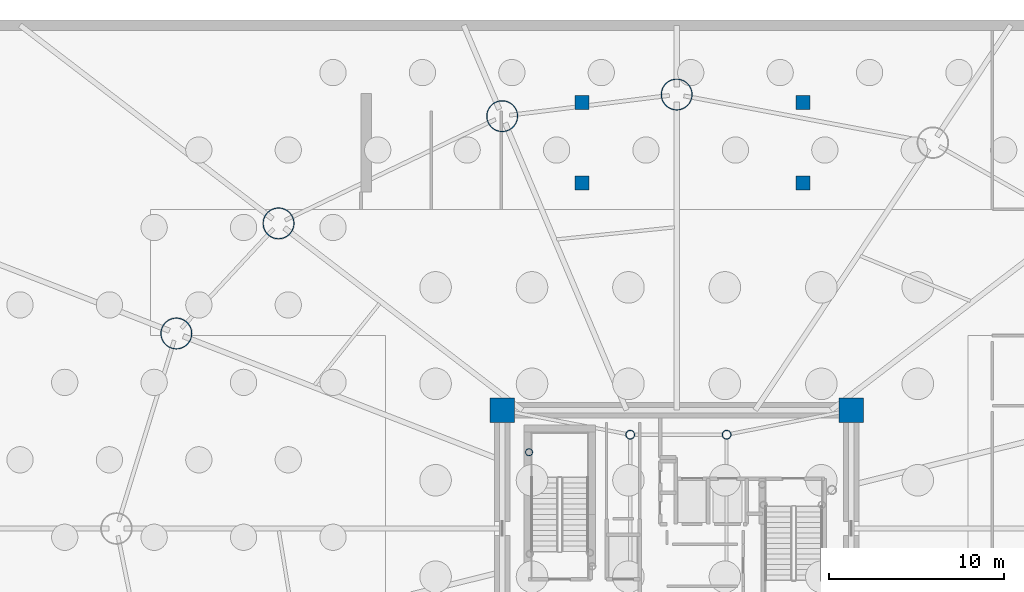
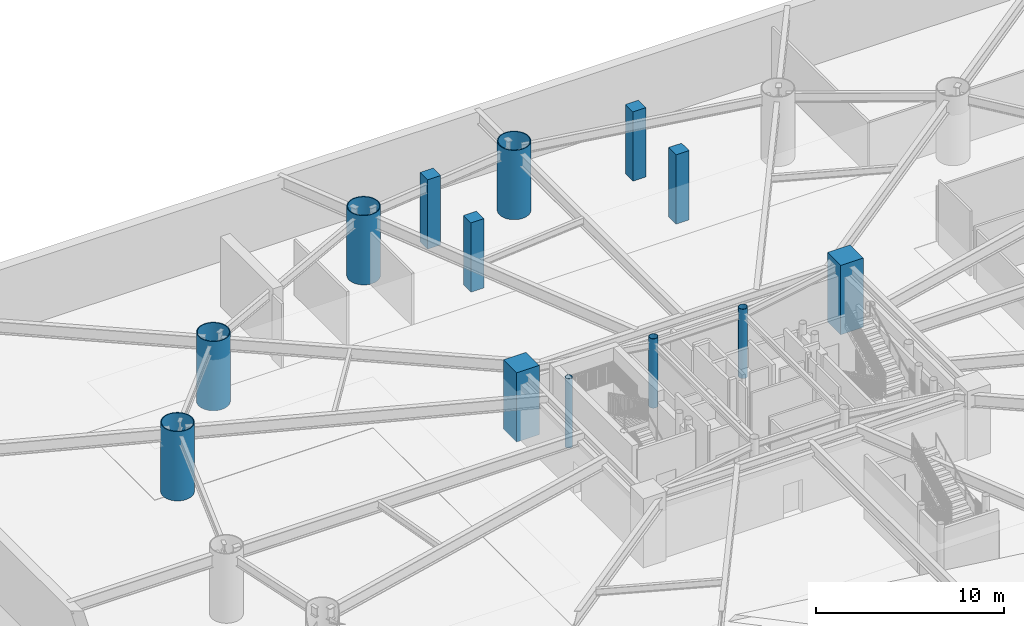
# One storey, part 3 of 18: 13 columns.
"""IFC4 building model written with IfcOpenShell, lengths in metres."""

from ifc_helpers import new_model, si_unit, direction, frame, origin, origin_2d, place, context, subcontext, project, spatial, rectangle, hollow_circle, extrude, material, material_profile, profile_set, type_object, element, save


model = new_model("IFC4")

# Units and contexts
model_context = context("Model", 3, precision=1e-05, world=origin(), true_north=direction((0.0, 1.0)))
body_context = subcontext(model_context, "Body", "Model", "MODEL_VIEW")
ifc_project = project(units=[si_unit("LENGTHUNIT", "METRE"), si_unit("AREAUNIT", "SQUARE_METRE"), si_unit("VOLUMEUNIT", "CUBIC_METRE"), si_unit("PLANEANGLEUNIT", "RADIAN"), si_unit("MASSUNIT", "GRAM", prefix="KILO")], contexts=[model_context])

# Site, building, storey
site_placement = place(None, origin())
site = spatial("IfcSite", under=ifc_project, at=site_placement, CompositionType="ELEMENT")
building_placement = place(site_placement, origin())
building = spatial("IfcBuilding", under=site, at=building_placement, Name="Linh Dai School and Residence Tower", CompositionType="ELEMENT")
storey_placement = place(building_placement, frame((0.0, 0.0, -9.0)))
storey = spatial("IfcBuildingStorey", under=building, at=storey_placement, Name="B02", CompositionType="ELEMENT", Elevation=-9.0)

# Columns
ifc_material_1 = material(Name="Concrete B60 (C50/60)", Category="concrete")
ifc_material_profile_1 = material_profile(ifc_material_1, rectangle(XDim=1.39990234375, YDim=1.39990234375, at=origin_2d()), Name="RC 1400x1400")
ifc_profile_set_1 = profile_set([ifc_material_profile_1], Name="Concrete B60 (C50/60)")
column_type_1 = type_object("IfcColumnType", Name="COL-CC1", PredefinedType="COLUMN", material=ifc_profile_set_1)
for number, where, z_axis, x_axis, name in (
    (1, (45.949951171875, 33.75, 0.0), (0.0, 0.0, 1.0), (1.0, 0.0, 0.0), "B02 Core Corner Pier CC3"),
    (2, (26.050048828125, 33.75, 0.0), (0.0, 0.0, 1.0), (1.0, 0.0, 0.0), "B02 Core Corner Pier CC4"),
):
    element("IfcColumn", number, at=place(storey_placement, frame(where, z_axis=z_axis, x_axis=x_axis)), inside=storey, type_object=column_type_1, Name=name, PredefinedType="COLUMN", context=body_context, shape_type="SweptSolid", body=[
        extrude(rectangle(XDim=1.39990234375, YDim=1.39990234375, at=origin_2d()), origin(), (0.0, 0.0, 1.0), 4.5),
    ])
ifc_material_2 = material(Name="Concrete B45 (C35/45)", Category="concrete")
ifc_material_profile_2 = material_profile(ifc_material_2, rectangle(XDim=0.800048828125, YDim=0.800048828125, at=origin_2d()), Name="RC 800x800")
ifc_profile_set_2 = profile_set([ifc_material_profile_2], Name="Concrete B45 (C35/45)")
column_type_2 = type_object("IfcColumnType", Name="COL-CC5", PredefinedType="COLUMN", material=ifc_profile_set_2)
for number, where, z_axis, x_axis, name in (
    (3, (30.60009765625, 46.699951171875, 0.0), (0.0, 0.0, 1.0), (1.0, 0.0, 0.0), "VR2 Ramp Foundation Support Pier B02"),
    (4, (30.60009765625, 51.300048828125, 0.0), (0.0, 0.0, 1.0), (1.0, 0.0, 0.0), "VR2 Ramp Foundation Support Pier B02"),
    (5, (43.199951171875, 46.699951171875, 0.0), (0.0, 0.0, 1.0), (1.0, 0.0, 0.0), "VR2 Ramp Foundation Support Pier B02"),
    (6, (43.199951171875, 51.300048828125, 0.0), (0.0, 0.0, 1.0), (1.0, 0.0, 0.0), "VR2 Ramp Foundation Support Pier B02"),
):
    element("IfcColumn", number, at=place(storey_placement, frame(where, z_axis=z_axis, x_axis=x_axis)), inside=storey, type_object=column_type_2, Name=name, PredefinedType="COLUMN", context=body_context, shape_type="SweptSolid", body=[
        extrude(rectangle(XDim=0.800048828125, YDim=0.800048828125, at=origin_2d()), origin(), (0.0, 0.0, 1.0), 4.5),
    ])
ifc_material_3 = material(Name="Structural Steel S355JR", Category="steel")
ifc_material_profile_3 = material_profile(ifc_material_3, hollow_circle(Radius=0.203125, WallThickness=0.01611328125, at=origin_2d()), Name="CHS 406.4x16")
ifc_profile_set_3 = profile_set([ifc_material_profile_3], Name="Structural Steel S355JR")
column_type_3 = type_object("IfcColumnType", Name="COL-EC", PredefinedType="COLUMN", material=ifc_profile_set_3)
column_placement = place(storey_placement, frame((27.580078125, 31.35009765625, 0.0), z_axis=(0.0, 0.0, 1.0), x_axis=(1.0, 0.0, 0.0)))
element("IfcColumn", 7, at=column_placement, inside=storey, type_object=column_type_3, Name="B02 Stair Shaft Landing Support Pier ST1NW", PredefinedType="COLUMN", context=body_context, shape_type="SweptSolid", body=[
    extrude(hollow_circle(Radius=0.203125, WallThickness=0.01611328125, at=origin_2d()), origin(), (0.0, 0.0, 1.0), 4.5),
])
ifc_material_profile_4 = material_profile(ifc_material_3, hollow_circle(Radius=0.89990234375, WallThickness=0.050048828125, at=origin_2d()), Name="CHS 1800x50")
ifc_profile_set_4 = profile_set([ifc_material_profile_4], Name="Structural Steel S355JR")
column_type_4 = type_object("IfcColumnType", Name="COL-MC1", PredefinedType="COLUMN", material=ifc_profile_set_4)
for number, where, z_axis, x_axis, name in (
    (8, (36.0, 51.75, 0.0), (0.0, 0.0, 1.0), (1.0, 0.0, 0.0), "B02 Perimeter CFT Mega-Column MC05"),
    (9, (26.048828125, 50.51611328125, 0.0), (0.0, 0.0, 1.0), (1.0, 0.0, 0.0), "B02 Perimeter CFT Mega-Column MC06"),
    (10, (13.294677734375, 44.400634765625, 0.0), (0.0, 0.0, 1.0), (1.0, 0.0, 0.0), "B02 Perimeter CFT Mega-Column MC07"),
    (11, (7.46630859375, 38.1220703125, 0.0), (0.0, 0.0, 1.0), (1.0, 0.0, 0.0), "B02 Perimeter CFT Mega-Column MC08"),
):
    element("IfcColumn", number, at=place(storey_placement, frame(where, z_axis=z_axis, x_axis=x_axis)), inside=storey, type_object=column_type_4, Name=name, PredefinedType="COLUMN", context=body_context, shape_type="SweptSolid", body=[
        extrude(hollow_circle(Radius=0.89990234375, WallThickness=0.050048828125, at=origin_2d()), origin(), (0.0, 0.0, 1.0), 4.5),
    ])
ifc_material_profile_5 = material_profile(ifc_material_3, hollow_circle(Radius=0.25390625, WallThickness=0.02001953125, at=origin_2d()), Name="CHS 508x20")
ifc_profile_set_5 = profile_set([ifc_material_profile_5], Name="Structural Steel S355JR")
column_type_5 = type_object("IfcColumnType", Name="COL-MCP", PredefinedType="COLUMN", material=ifc_profile_set_5)
for number, where, z_axis, x_axis, name in (
    (12, (38.85009765625, 32.35009765625, 0.0), (0.0, 0.0, 1.0), (1.0, 0.0, 0.0), "B02 Core Mast Support Pier MCP3"),
    (13, (33.35009765625, 32.35009765625, 0.0), (0.0, 0.0, 1.0), (1.0, 0.0, 0.0), "B02 Core Mast Support Pier MCP4"),
):
    element("IfcColumn", number, at=place(storey_placement, frame(where, z_axis=z_axis, x_axis=x_axis)), inside=storey, type_object=column_type_5, Name=name, PredefinedType="COLUMN", context=body_context, shape_type="SweptSolid", body=[
        extrude(hollow_circle(Radius=0.25390625, WallThickness=0.02001953125, at=origin_2d()), origin(), (0.0, 0.0, 1.0), 4.5),
    ])

save(model, "model.ifc")
